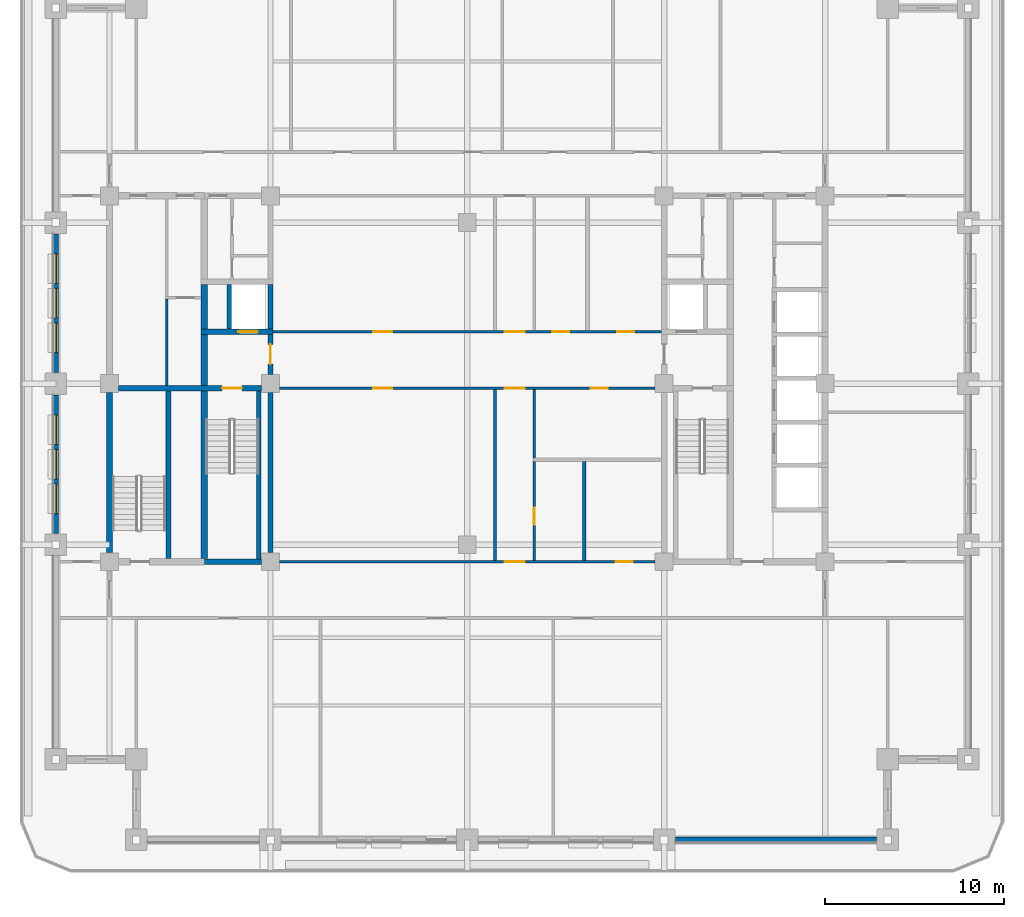
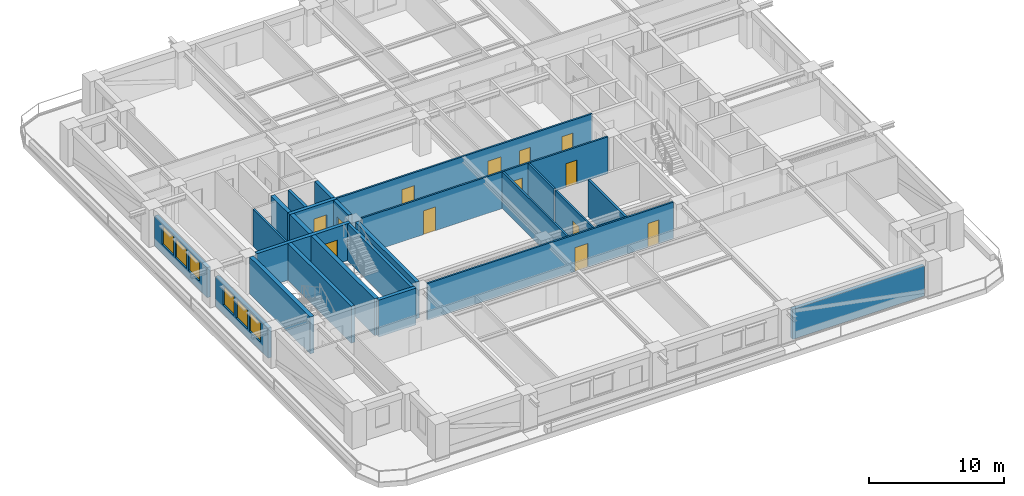
# One storey, part 3 of 14: 24 walls, 13 doors, 6 windows, 19 openings.
"""IFC4 building model written with IfcOpenShell, lengths in metres."""

import ifcopenshell
import ifcopenshell.guid

model = None  # the IFC model being written
_history = None  # IfcOwnerHistory: only IFC2X3 demands one
_inside = {}  # id of a spatial element -> (the spatial element, [elements in it])
_under = {}  # id of a project, library or spatial element -> (it, [spatial elements below it])
_declared = {}  # id of a project -> (the project, [libraries it declares])
_typed = {}  # id of a type object -> (the type object, [elements of that type])
_made_of = {}  # id of a material, layer set ... -> (it, [elements and type objects made of it])


def new_model(schema):
    """Start an empty IFC model of exactly this schema.

    Asked for "IFC4X3", IfcOpenShell would pick the latest addendum, in which some entities
    have other attributes; the version numbers below select the first issue.
    IFC2X3 requires an IfcOwnerHistory on every rooted entity: one is made here for all.
    """
    global model, _history
    if schema == "IFC4X3":
        model = ifcopenshell.file(schema_version=(4, 3, 0, 0))
    else:
        model = ifcopenshell.file(schema=schema)
    _inside.clear()
    _under.clear()
    _declared.clear()
    _typed.clear()
    _made_of.clear()
    _history = None
    if model.schema == "IFC2X3":
        org = make("IfcOrganization", Name="unknown")
        user = make(
            "IfcPersonAndOrganization",
            ThePerson=make("IfcPerson", FamilyName="unknown"),
            TheOrganization=org,
        )
        app = make(
            "IfcApplication",
            ApplicationDeveloper=org,
            Version="unknown",
            ApplicationFullName="unknown",
            ApplicationIdentifier="unknown",
        )
        _history = make(
            "IfcOwnerHistory",
            OwningUser=user,
            OwningApplication=app,
            ChangeAction="ADDED",
            CreationDate=0,
        )
    return model


def make(cls, **values):
    """One entity of the class cls with the attributes given. An attribute that is None is left unset."""
    return model.create_entity(
        cls, **{name: value for name, value in values.items() if value is not None}
    )


def rooted(cls, **values):
    """An entity with a GlobalId (a new one), such as an element, a storey or a relation."""
    return make(cls, GlobalId=ifcopenshell.guid.new(), OwnerHistory=_history, **values)


def si_unit(unit_type, name, prefix=None):
    """IfcSIUnit, for example si_unit("LENGTHUNIT", "METRE", prefix="MILLI")."""
    return make("IfcSIUnit", UnitType=unit_type, Prefix=prefix, Name=name)


def assignment(units):
    """IfcUnitAssignment: the units of a project."""
    return None if units is None else make("IfcUnitAssignment", Units=units)


def point(xyz):
    """IfcCartesianPoint."""
    return None if xyz is None else make("IfcCartesianPoint", Coordinates=xyz)


def direction(xyz):
    """IfcDirection."""
    return None if xyz is None else make("IfcDirection", DirectionRatios=xyz)


def frame(location, z_axis=None, x_axis=None):
    """IfcAxis2Placement3D, a coordinate frame: its origin and axes. An axis left out is left unset."""
    return make(
        "IfcAxis2Placement3D",
        Location=point(location),
        Axis=direction(z_axis),
        RefDirection=direction(x_axis),
    )


def frame_2d(location, x_axis=None):
    """IfcAxis2Placement2D, a coordinate frame in the plane: its origin and x axis."""
    return make(
        "IfcAxis2Placement2D", Location=point(location), RefDirection=direction(x_axis)
    )


def origin():
    """The frame at (0, 0, 0) with its axes left unset."""
    return frame((0.0, 0.0, 0.0))


def place(relative_to, where):
    """IfcLocalPlacement: puts the frame where relative to a parent placement (None: the world)."""
    return make(
        "IfcLocalPlacement", PlacementRelTo=relative_to, RelativePlacement=where
    )


def context(
    kind, dimensions, precision=None, world=None, true_north=None, identifier=None
):
    """IfcGeometricRepresentationContext, for example the 3D "Model" context."""
    return make(
        "IfcGeometricRepresentationContext",
        ContextIdentifier=identifier,
        ContextType=kind,
        CoordinateSpaceDimension=dimensions,
        Precision=precision,
        WorldCoordinateSystem=world,
        TrueNorth=true_north,
    )


def subcontext(parent, identifier, kind, view, scale=None):
    """IfcGeometricRepresentationSubContext, for example "Body" below "Model"."""
    return make(
        "IfcGeometricRepresentationSubContext",
        ContextIdentifier=identifier,
        ContextType=kind,
        ParentContext=parent,
        TargetScale=scale,
        TargetView=view,
    )


def project(units=None, contexts=None):
    """IfcProject with its units and contexts."""
    return rooted(
        "IfcProject",
        Name="project",
        RepresentationContexts=contexts,
        UnitsInContext=assignment(units),
    )


def spatial(cls, under=None, at=None, **own):
    """A site, building, storey or space (cls), placed at a placement, below another one or the project."""
    s = rooted(cls, ObjectPlacement=at, **own)
    if under is not None:
        _under.setdefault(under.id(), (under, []))[1].append(s)
    return s


def profile(cls, at=None, kind="AREA", **sizes):
    """A parametric profile (cls). Its sizes go by their IFC names, for example OverallWidth=200.0."""
    return make(cls, ProfileType=kind, Position=at, **sizes)


def rectangle(**sizes):
    """IfcRectangleProfileDef."""
    return profile("IfcRectangleProfileDef", **sizes)


def extrude(swept, where, along, depth):
    """IfcExtrudedAreaSolid: the profile swept, set in the frame where, extruded along a direction by depth."""
    return make(
        "IfcExtrudedAreaSolid",
        SweptArea=swept,
        Position=where,
        ExtrudedDirection=direction(along),
        Depth=depth,
    )


def shape(context_of_items, identifier, shape_type, items):
    """IfcShapeRepresentation: the items that make up one representation, for example the "Body"."""
    return make(
        "IfcShapeRepresentation",
        ContextOfItems=context_of_items,
        RepresentationIdentifier=identifier,
        RepresentationType=shape_type,
        Items=items,
    )


def material(Name=None, Category=None):
    """IfcMaterial."""
    return make("IfcMaterial", Name=Name, Category=Category)


def layer(
    of_material, thickness, ventilated=None, Name=None, Category=None, Priority=None
):
    """IfcMaterialLayer: one layer of a wall or slab, of a material (None: an air gap)."""
    return make(
        "IfcMaterialLayer",
        Material=of_material,
        LayerThickness=thickness,
        IsVentilated=ventilated,
        Name=Name,
        Category=Category,
        Priority=Priority,
    )


def layer_set(layers, Name=None):
    """IfcMaterialLayerSet."""
    return make("IfcMaterialLayerSet", MaterialLayers=layers, LayerSetName=Name)


def made_of(thing, what):
    """Note that an element or type object is made of a material, layer set ...; save() writes the relation."""
    if what is not None:
        _made_of.setdefault(what.id(), (what, []))[1].append(thing)
    return thing


def type_object(cls, material=None, **own):
    """A type object (cls), such as IfcWallType, which elements share."""
    return made_of(rooted(cls, **own), material)


def element(
    cls,
    number,
    at=None,
    inside=None,
    cuts=None,
    type_object=None,
    material=None,
    context=None,
    identifier="Body",
    shape_type=None,
    held_by="IfcProductDefinitionShape",
    body=None,
    shapes=None,
    **own,
):
    """One element of the class cls, such as IfcWall. Its Tag is "e" and its number.

    at: its placement. inside: the storey or other place that contains it. cuts: it is an
    opening in that element (IfcRelVoidsElement). A single representation is given by context,
    identifier, shape_type and body (its items); several are given by shapes. held_by: the class
    of the entity that holds the representations. save() writes the other relations.
    """
    e = rooted(cls, Tag="e%d" % number, ObjectPlacement=at, **own)
    if body is not None:
        shapes = [shape(context, identifier, shape_type, body)]
    if shapes is not None:
        e.Representation = make(held_by, Representations=shapes)
    if inside is not None:
        _inside.setdefault(inside.id(), (inside, []))[1].append(e)
    if cuts is not None:
        rooted(
            "IfcRelVoidsElement", RelatingBuildingElement=cuts, RelatedOpeningElement=e
        )
    if type_object is not None:
        _typed.setdefault(type_object.id(), (type_object, []))[1].append(e)
    return made_of(e, material)


def fill(opening, filler):
    """IfcRelFillsElement: the door or window that sits in an opening."""
    return rooted(
        "IfcRelFillsElement",
        RelatingOpeningElement=opening,
        RelatedBuildingElement=filler,
    )


def aggregate(whole, parts):
    """IfcRelAggregates: a whole, such as a stair, and the parts it consists of."""
    return rooted("IfcRelAggregates", RelatingObject=whole, RelatedObjects=parts)


def save(model, path):
    """Write the relations noted so far, then the file.

    IfcRelAggregates (storeys below a building ...), IfcRelContainedInSpatialStructure (elements
    in a storey), IfcRelDefinesByType, IfcRelAssociatesMaterial and IfcRelDeclares: one each for
    every whole, place, type object, material and project.
    """
    for whole, parts in _under.values():
        aggregate(whole, parts)
    for where, things in _inside.values():
        rooted(
            "IfcRelContainedInSpatialStructure",
            RelatedElements=things,
            RelatingStructure=where,
        )
    for kind, things in _typed.values():
        rooted("IfcRelDefinesByType", RelatedObjects=things, RelatingType=kind)
    for what, things in _made_of.values():
        rooted("IfcRelAssociatesMaterial", RelatedObjects=things, RelatingMaterial=what)
    for by, libraries in _declared.values():
        rooted("IfcRelDeclares", RelatingContext=by, RelatedDefinitions=libraries)
    model.write(path)


model = new_model("IFC4")

# Units and contexts
model_context = context("Model", 3, precision=1e-05, world=origin(), true_north=direction((0.0, 1.0)))
body_context = subcontext(model_context, "Body", "Model", "MODEL_VIEW")
ifc_project = project(units=[si_unit("LENGTHUNIT", "METRE"), si_unit("AREAUNIT", "SQUARE_METRE"), si_unit("VOLUMEUNIT", "CUBIC_METRE"), si_unit("PLANEANGLEUNIT", "RADIAN"), si_unit("MASSUNIT", "GRAM", prefix="KILO")], contexts=[model_context])

# Site, building, storey
site_placement = place(None, origin())
site = spatial("IfcSite", under=ifc_project, at=site_placement, CompositionType="ELEMENT")
building_placement = place(site_placement, origin())
building = spatial("IfcBuilding", under=site, at=building_placement, Name="Zulmaris Gate Convention Tower", CompositionType="ELEMENT")
storey_placement = place(building_placement, frame((0.0, 0.0, 102.06982421875)))
storey = spatial("IfcBuildingStorey", under=building, at=storey_placement, Name="L25", CompositionType="ELEMENT", Elevation=102.06982421875)

# Walls
ifc_material_1 = material(Name="Concrete C50/60", Category="concrete")
ifc_layer_1 = layer(ifc_material_1, 0.25, Name="Concrete C50/60")
ifc_layer_set_1 = layer_set([ifc_layer_1], Name="Concrete C50/60")
wall_type_1 = type_object("IfcWallType", Name="CORE-250", PredefinedType="SOLIDWALL", material=ifc_layer_set_1)
wall_1_placement = place(storey_placement, frame((-13.300048828125, 3.052001953125, 0.0), z_axis=(0.0, 0.0, 1.0), x_axis=(0.0, 1.0, 0.0)))
element("IfcWall", 1, at=wall_1_placement, inside=storey, type_object=wall_type_1, Name="WL-L25-044", PredefinedType="SOLIDWALL", context=body_context, shape_type="SweptSolid", body=[
    extrude(rectangle(XDim=2.49609375, YDim=0.25, at=frame_2d((1.248046875, 0.0))), origin(), (0.0, 0.0, 1.0), 3.320068359375),
])
wall_2_placement = place(storey_placement, frame((-11.64990234375, -9.798095703125, 0.0), z_axis=(0.0, 0.0, 1.0), x_axis=(0.0, 1.0, 0.0)))
element("IfcWall", 2, at=wall_2_placement, inside=storey, type_object=wall_type_1, Name="WL-L25-045", PredefinedType="SOLIDWALL", context=body_context, shape_type="SweptSolid", body=[
    extrude(rectangle(XDim=9.39599609375, YDim=0.25, at=frame_2d((4.697998046875, 0.0))), origin(), (0.0, 0.0, 1.0), 3.320068359375),
])
ifc_layer_2 = layer(ifc_material_1, 0.300048828125, Name="Concrete C50/60")
ifc_layer_set_2 = layer_set([ifc_layer_2], Name="Concrete C50/60")
wall_type_2 = type_object("IfcWallType", Name="CORE-300", PredefinedType="SHEAR", material=ifc_layer_set_2)
wall_3_placement = place(storey_placement, frame((-14.699951171875, -9.949951171875, 0.0), z_axis=(0.0, 0.0, 1.0), x_axis=(1.0, 0.0, 0.0)))
element("IfcWall", 3, at=wall_3_placement, inside=storey, type_object=wall_type_2, Name="WL-L25-002", PredefinedType="SHEAR", context=body_context, shape_type="SweptSolid", body=[
    extrude(rectangle(XDim=3.196044921875, YDim=0.300048828125, at=frame_2d((1.59814453125, 0.0))), origin(), (0.0, 0.0, 1.0), 3.320068359375),
])

# Wall, opening, door
wall_4_placement = place(storey_placement, frame((-19.49609375, -0.25, 0.0), z_axis=(0.0, 0.0, 1.0), x_axis=(1.0, 0.0, 0.0)))
wall_4 = element("IfcWall", 4, at=wall_4_placement, inside=storey, type_object=wall_type_2, Name="WL-L25-008", PredefinedType="SHEAR", context=body_context, shape_type="SweptSolid", body=[
    extrude(rectangle(XDim=7.9921875, YDim=0.300048828125, at=frame_2d((3.99609375, 0.0))), origin(), (0.0, 0.0, 1.0), 3.320068359375),
])
opening_1_placement = place(wall_4_placement, frame((5.7958984375, 0.0, 0.0)))
opening_1 = element("IfcOpeningElement", 5, at=opening_1_placement, cuts=wall_4, Name="Opening D-08", PredefinedType="OPENING", context=body_context, shape_type="SweptSolid", body=[
    extrude(rectangle(XDim=1.10009765625, YDim=2.14990234375, at=frame_2d((0.550048828125, 1.074951171875))), frame((0.0, 0.16015625, 0.0), z_axis=(0.0, -1.0, 0.0), x_axis=(1.0, 0.0, 0.0)), (0.0, 0.0, 1.0), 0.320068359375),
])
ifc_material_2 = material(Name="Fire-Rated Steel", Category="steel")
door_type_1 = type_object("IfcDoorType", Name="DR-1100-FD", OperationType="NOTDEFINED", PredefinedType="DOOR", material=ifc_material_2)
door_1_placement = place(opening_1_placement, origin())
door_1 = element("IfcDoor", 6, at=door_1_placement, inside=storey, type_object=door_type_1, Name="L25 Exit Stair ST-1 Door 01", OperationType="SINGLE_SWING_RIGHT", OverallHeight=2.14990234375, OverallWidth=1.10009765625, PredefinedType="DOOR", context=body_context, shape_type="SweptSolid", body=[
    extrude(rectangle(XDim=1.10009765625, YDim=2.14990234375, at=frame_2d((0.550048828125, 1.074951171875))), frame((0.0, 0.02490234375, 0.0), z_axis=(0.0, -1.0, 0.0), x_axis=(1.0, 0.0, 0.0)), (0.0, 0.0, 1.0), 0.050048828125),
])
fill(opening_1, door_1)

wall_5_placement = place(storey_placement, frame((-14.875, 2.89990234375, 0.0), z_axis=(0.0, 0.0, 1.0), x_axis=(1.0, 0.0, 0.0)))
wall_5 = element("IfcWall", 7, at=wall_5_placement, inside=storey, type_object=wall_type_2, Name="WL-L25-012", PredefinedType="SHEAR", context=body_context, shape_type="SweptSolid", body=[
    extrude(rectangle(XDim=4.02490234375, YDim=0.300048828125, at=frame_2d((2.012451171875, 0.0))), origin(), (0.0, 0.0, 1.0), 3.320068359375),
])
opening_2_placement = place(wall_5_placement, frame((2.074951171875, 0.0, 0.0)))
opening_2 = element("IfcOpeningElement", 8, at=opening_2_placement, cuts=wall_5, Name="Opening D-06", PredefinedType="OPENING", context=body_context, shape_type="SweptSolid", body=[
    extrude(rectangle(XDim=1.10009765625, YDim=2.199951171875, at=frame_2d((0.550048828125, 1.10009765625))), frame((0.0, 0.16015625, 0.0), z_axis=(0.0, -1.0, 0.0), x_axis=(1.0, 0.0, 0.0)), (0.0, 0.0, 1.0), 0.320068359375),
])
ifc_material_3 = material(Name="Brushed Stainless Steel", Category="steel")
door_type_2 = type_object("IfcDoorType", Name="LD-1100", OperationType="NOTDEFINED", PredefinedType="DOOR", material=ifc_material_3)
door_2_placement = place(opening_2_placement, origin())
door_2 = element("IfcDoor", 9, at=door_2_placement, inside=storey, type_object=door_type_2, Name="L25 Lift Landing Door LF-01 03", OperationType="SLIDING_TO_LEFT", OverallHeight=2.199951171875, OverallWidth=1.10009765625, PredefinedType="DOOR", context=body_context, shape_type="SweptSolid", body=[
    extrude(rectangle(XDim=1.10009765625, YDim=2.199951171875, at=frame_2d((0.550048828125, 1.10009765625))), frame((0.0, 0.02490234375, 0.0), z_axis=(0.0, -1.0, 0.0), x_axis=(1.0, 0.0, 0.0)), (0.0, 0.0, 1.0), 0.050048828125),
])
fill(opening_2, door_2)

# Walls
wall_6_placement = place(storey_placement, frame((-16.699951171875, -9.77294921875, 0.0), z_axis=(0.0, 0.0, 1.0), x_axis=(0.0, 1.0, 0.0)))
element("IfcWall", 10, at=wall_6_placement, inside=storey, type_object=wall_type_2, Name="WL-L25-039", PredefinedType="SHEAR", context=body_context, shape_type="SweptSolid", body=[
    extrude(rectangle(XDim=9.370849609375, YDim=0.300048828125, at=frame_2d((4.685546875, 0.0))), origin(), (0.0, 0.0, 1.0), 3.320068359375),
])
wall_7_placement = place(storey_placement, frame((-11.0, -9.446044921875, 0.0), z_axis=(0.0, 0.0, 1.0), x_axis=(0.0, 1.0, 0.0)))
element("IfcWall", 11, at=wall_7_placement, inside=storey, type_object=wall_type_2, Name="WL-L25-046", PredefinedType="SHEAR", context=body_context, shape_type="SweptSolid", body=[
    extrude(rectangle(XDim=8.942138671875, YDim=0.300048828125, at=frame_2d((4.47119140625, 0.0))), origin(), (0.0, 0.0, 1.0), 3.320068359375),
])

# Wall, opening, door
wall_8_placement = place(storey_placement, frame((-11.0, 0.50390625, 0.0), z_axis=(0.0, 0.0, 1.0), x_axis=(0.0, 1.0, 0.0)))
wall_8 = element("IfcWall", 12, at=wall_8_placement, inside=storey, type_object=wall_type_2, Name="WL-L25-047", PredefinedType="SHEAR", context=body_context, shape_type="SweptSolid", body=[
    extrude(rectangle(XDim=2.244140625, YDim=0.300048828125, at=frame_2d((1.1220703125, 0.0))), origin(), (0.0, 0.0, 1.0), 3.320068359375),
])
opening_3_placement = place(wall_8_placement, frame((0.595947265625, 0.0, 0.0)))
opening_3 = element("IfcOpeningElement", 13, at=opening_3_placement, cuts=wall_8, Name="Opening D-08", PredefinedType="OPENING", context=body_context, shape_type="SweptSolid", body=[
    extrude(rectangle(XDim=1.10009765625, YDim=2.14990234375, at=frame_2d((0.550048828125, 1.074951171875))), frame((0.0, 0.16015625, 0.0), z_axis=(0.0, -1.0, 0.0), x_axis=(1.0, 0.0, 0.0)), (0.0, 0.0, 1.0), 0.320068359375),
])
door_3_placement = place(opening_3_placement, origin())
door_3 = element("IfcDoor", 14, at=door_3_placement, inside=storey, type_object=door_type_1, Name="L25 West Firefighting Lobby Door 02", OperationType="SINGLE_SWING_LEFT", OverallHeight=2.14990234375, OverallWidth=1.10009765625, PredefinedType="DOOR", context=body_context, shape_type="SweptSolid", body=[
    extrude(rectangle(XDim=1.10009765625, YDim=2.14990234375, at=frame_2d((0.550048828125, 1.074951171875))), frame((0.0, 0.02490234375, 0.0), z_axis=(0.0, -1.0, 0.0), x_axis=(1.0, 0.0, 0.0)), (0.0, 0.0, 1.0), 0.050048828125),
])
fill(opening_3, door_3)

# Walls
wall_9_placement = place(storey_placement, frame((-11.0, 3.052001953125, 0.0), z_axis=(0.0, 0.0, 1.0), x_axis=(0.0, 1.0, 0.0)))
element("IfcWall", 15, at=wall_9_placement, inside=storey, type_object=wall_type_2, Name="WL-L25-048", PredefinedType="SHEAR", context=body_context, shape_type="SweptSolid", body=[
    extrude(rectangle(XDim=2.49609375, YDim=0.300048828125, at=frame_2d((1.248046875, 0.0))), origin(), (0.0, 0.0, 1.0), 3.320068359375),
])
ifc_material_4 = material(Name="Concrete C55/67", Category="concrete")
ifc_layer_3 = layer(ifc_material_4, 0.35009765625, Name="Concrete C55/67")
ifc_layer_set_3 = layer_set([ifc_layer_3], Name="Concrete C55/67")
wall_type_3 = type_object("IfcWallType", Name="CORE-350", PredefinedType="SHEAR", material=ifc_layer_set_3)
wall_10_placement = place(storey_placement, frame((-20.0, -9.446044921875, 0.0), z_axis=(0.0, 0.0, 1.0), x_axis=(0.0, 1.0, 0.0)))
element("IfcWall", 16, at=wall_10_placement, inside=storey, type_object=wall_type_3, Name="WL-L25-037", PredefinedType="SHEAR", context=body_context, shape_type="SweptSolid", body=[
    extrude(rectangle(XDim=8.942138671875, YDim=0.35009765625, at=frame_2d((4.47119140625, 0.0))), origin(), (0.0, 0.0, 1.0), 3.320068359375),
])
wall_11_placement = place(storey_placement, frame((-14.699951171875, -9.77294921875, 0.0), z_axis=(0.0, 0.0, 1.0), x_axis=(0.0, 1.0, 0.0)))
element("IfcWall", 17, at=wall_11_placement, inside=storey, type_object=wall_type_3, Name="WL-L25-040", PredefinedType="SHEAR", context=body_context, shape_type="SweptSolid", body=[
    extrude(rectangle(XDim=9.370849609375, YDim=0.35009765625, at=frame_2d((4.685546875, 0.0))), origin(), (0.0, 0.0, 1.0), 3.320068359375),
])
wall_12_placement = place(storey_placement, frame((-14.699951171875, -0.097900390625, 0.0), z_axis=(0.0, 0.0, 1.0), x_axis=(0.0, 1.0, 0.0)))
element("IfcWall", 18, at=wall_12_placement, inside=storey, type_object=wall_type_3, Name="WL-L25-041", PredefinedType="SHEAR", context=body_context, shape_type="SweptSolid", body=[
    extrude(rectangle(XDim=2.845947265625, YDim=0.35009765625, at=frame_2d((1.4228515625, 0.0))), origin(), (0.0, 0.0, 1.0), 3.320068359375),
])
wall_13_placement = place(storey_placement, frame((-14.699951171875, 3.052001953125, 0.0), z_axis=(0.0, 0.0, 1.0), x_axis=(0.0, 1.0, 0.0)))
element("IfcWall", 19, at=wall_13_placement, inside=storey, type_object=wall_type_3, Name="WL-L25-042", PredefinedType="SHEAR", context=body_context, shape_type="SweptSolid", body=[
    extrude(rectangle(XDim=2.49609375, YDim=0.35009765625, at=frame_2d((1.248046875, 0.0))), origin(), (0.0, 0.0, 1.0), 3.320068359375),
])

# Wall, openings, doors
ifc_material_5 = material(Name="Gypsum Metal Stud Partition")
ifc_layer_4 = layer(ifc_material_5, 0.14990234375, Name="Gypsum Metal Stud Partition")
ifc_layer_set_4 = layer_set([ifc_layer_4], Name="Gypsum Metal Stud Partition")
wall_type_4 = type_object("IfcWallType", Name="PART-150", PredefinedType="PARTITIONING", material=ifc_layer_set_4)
wall_14_placement = place(storey_placement, frame((-10.493896484375, -9.949951171875, 0.0), z_axis=(0.0, 0.0, 1.0), x_axis=(1.0, 0.0, 0.0)))
wall_14 = element("IfcWall", 20, at=wall_14_placement, inside=storey, type_object=wall_type_4, Name="WL-L25-023", PredefinedType="PARTITIONING", context=body_context, shape_type="SweptSolid", body=[
    extrude(rectangle(XDim=20.98779296875, YDim=0.14990234375, at=frame_2d((10.493896484375, 0.0))), origin(), (0.0, 0.0, 1.0), 3.320068359375),
])
opening_4_placement = place(wall_14_placement, frame((12.593994140625, 0.0, 0.0)))
opening_4 = element("IfcOpeningElement", 21, at=opening_4_placement, cuts=wall_14, Name="Opening D-08", PredefinedType="OPENING", context=body_context, shape_type="SweptSolid", body=[
    extrude(rectangle(XDim=1.10009765625, YDim=2.14990234375, at=frame_2d((0.550048828125, 1.074951171875))), frame((0.0, 0.0849609375, 0.0), z_axis=(0.0, -1.0, 0.0), x_axis=(1.0, 0.0, 0.0)), (0.0, 0.0, 1.0), 0.169921875),
])
opening_5_placement = place(wall_14_placement, frame((18.799072265625, 0.0, 0.0)))
opening_5 = element("IfcOpeningElement", 22, at=opening_5_placement, cuts=wall_14, Name="Opening D-11", PredefinedType="OPENING", context=body_context, shape_type="SweptSolid", body=[
    extrude(rectangle(XDim=0.949951171875, YDim=2.14990234375, at=frame_2d((0.47509765625, 1.074951171875))), frame((0.0, 0.0849609375, 0.0), z_axis=(0.0, -1.0, 0.0), x_axis=(1.0, 0.0, 0.0)), (0.0, 0.0, 1.0), 0.169921875),
])
door_4_placement = place(opening_4_placement, origin())
door_4 = element("IfcDoor", 23, at=door_4_placement, inside=storey, type_object=door_type_1, Name="L25 South Gallery Link Door 26", OperationType="SINGLE_SWING_LEFT", OverallHeight=2.14990234375, OverallWidth=1.10009765625, PredefinedType="DOOR", context=body_context, shape_type="SweptSolid", body=[
    extrude(rectangle(XDim=1.10009765625, YDim=2.14990234375, at=frame_2d((0.550048828125, 1.074951171875))), frame((0.0, 0.02490234375, 0.0), z_axis=(0.0, -1.0, 0.0), x_axis=(1.0, 0.0, 0.0)), (0.0, 0.0, 1.0), 0.050048828125),
])
fill(opening_4, door_4)
ifc_material_6 = material(Name="Fire-Rated Timber", Category="wood")
door_type_3 = type_object("IfcDoorType", Name="DR-950-FD", OperationType="NOTDEFINED", PredefinedType="DOOR", material=ifc_material_6)
door_5_placement = place(opening_5_placement, origin())
door_5 = element("IfcDoor", 24, at=door_5_placement, inside=storey, type_object=door_type_3, Name="L25 Vault Store Door 44", OperationType="SINGLE_SWING_LEFT", OverallHeight=2.14990234375, OverallWidth=0.949951171875, PredefinedType="DOOR", context=body_context, shape_type="SweptSolid", body=[
    extrude(rectangle(XDim=0.949951171875, YDim=2.14990234375, at=frame_2d((0.47509765625, 1.074951171875))), frame((0.0, 0.02490234375, 0.0), z_axis=(0.0, -1.0, 0.0), x_axis=(1.0, 0.0, 0.0)), (0.0, 0.0, 1.0), 0.050048828125),
])
fill(opening_5, door_5)

wall_15_placement = place(storey_placement, frame((-10.493896484375, -0.25, 0.0), z_axis=(0.0, 0.0, 1.0), x_axis=(1.0, 0.0, 0.0)))
wall_15 = element("IfcWall", 25, at=wall_15_placement, inside=storey, type_object=wall_type_4, Name="WL-L25-027", PredefinedType="PARTITIONING", context=body_context, shape_type="SweptSolid", body=[
    extrude(rectangle(XDim=20.98779296875, YDim=0.14990234375, at=frame_2d((10.493896484375, 0.0))), origin(), (0.0, 0.0, 1.0), 3.320068359375),
])
opening_6_placement = place(wall_15_placement, frame((12.593994140625, 0.0, 0.0)))
opening_6 = element("IfcOpeningElement", 26, at=opening_6_placement, cuts=wall_15, Name="Opening D-08", PredefinedType="OPENING", context=body_context, shape_type="SweptSolid", body=[
    extrude(rectangle(XDim=1.10009765625, YDim=2.14990234375, at=frame_2d((0.550048828125, 1.074951171875))), frame((0.0, 0.0849609375, 0.0), z_axis=(0.0, -1.0, 0.0), x_axis=(1.0, 0.0, 0.0)), (0.0, 0.0, 1.0), 0.169921875),
])
opening_7_placement = place(wall_15_placement, frame((5.2490234375, 0.0, 0.0)))
opening_7 = element("IfcOpeningElement", 27, at=opening_7_placement, cuts=wall_15, Name="Opening D-09", PredefinedType="OPENING", context=body_context, shape_type="SweptSolid", body=[
    extrude(rectangle(XDim=1.050048828125, YDim=2.14990234375, at=frame_2d((0.52490234375, 1.074951171875))), frame((0.0, 0.0849609375, 0.0), z_axis=(0.0, -1.0, 0.0), x_axis=(1.0, 0.0, 0.0)), (0.0, 0.0, 1.0), 0.169921875),
])
opening_8_placement = place(wall_15_placement, frame((17.39892578125, 0.0, 0.0)))
opening_8 = element("IfcOpeningElement", 28, at=opening_8_placement, cuts=wall_15, Name="Opening D-11", PredefinedType="OPENING", context=body_context, shape_type="SweptSolid", body=[
    extrude(rectangle(XDim=0.949951171875, YDim=2.14990234375, at=frame_2d((0.47509765625, 1.074951171875))), frame((0.0, 0.0849609375, 0.0), z_axis=(0.0, -1.0, 0.0), x_axis=(1.0, 0.0, 0.0)), (0.0, 0.0, 1.0), 0.169921875),
])
door_type_4 = type_object("IfcDoorType", Name="DR-1050-FD", OperationType="NOTDEFINED", PredefinedType="DOOR", material=ifc_material_2)
door_6_placement = place(opening_7_placement, origin())
door_6 = element("IfcDoor", 29, at=door_6_placement, inside=storey, type_object=door_type_4, Name="L25 Sky Library Door 41", OperationType="SINGLE_SWING_RIGHT", OverallHeight=2.14990234375, OverallWidth=1.050048828125, PredefinedType="DOOR", context=body_context, shape_type="SweptSolid", body=[
    extrude(rectangle(XDim=1.050048828125, YDim=2.14990234375, at=frame_2d((0.52490234375, 1.074951171875))), frame((0.0, 0.02490234375, 0.0), z_axis=(0.0, -1.0, 0.0), x_axis=(1.0, 0.0, 0.0)), (0.0, 0.0, 1.0), 0.050048828125),
])
fill(opening_7, door_6)
door_7_placement = place(opening_6_placement, origin())
door_7 = element("IfcDoor", 30, at=door_7_placement, inside=storey, type_object=door_type_1, Name="L25 Cross Spine South Door 28", OperationType="SINGLE_SWING_LEFT", OverallHeight=2.14990234375, OverallWidth=1.10009765625, PredefinedType="DOOR", context=body_context, shape_type="SweptSolid", body=[
    extrude(rectangle(XDim=1.10009765625, YDim=2.14990234375, at=frame_2d((0.550048828125, 1.074951171875))), frame((0.0, 0.02490234375, 0.0), z_axis=(0.0, -1.0, 0.0), x_axis=(1.0, 0.0, 0.0)), (0.0, 0.0, 1.0), 0.050048828125),
])
fill(opening_6, door_7)
door_8_placement = place(opening_8_placement, origin())
door_8 = element("IfcDoor", 31, at=door_8_placement, inside=storey, type_object=door_type_3, Name="L25 Public WC Door 42", OperationType="SINGLE_SWING_LEFT", OverallHeight=2.14990234375, OverallWidth=0.949951171875, PredefinedType="DOOR", context=body_context, shape_type="SweptSolid", body=[
    extrude(rectangle(XDim=0.949951171875, YDim=2.14990234375, at=frame_2d((0.47509765625, 1.074951171875))), frame((0.0, 0.02490234375, 0.0), z_axis=(0.0, -1.0, 0.0), x_axis=(1.0, 0.0, 0.0)), (0.0, 0.0, 1.0), 0.050048828125),
])
fill(opening_8, door_8)

wall_16_placement = place(storey_placement, frame((-11.0, 2.89990234375, 0.0), z_axis=(0.0, 0.0, 1.0), x_axis=(1.0, 0.0, 0.0)))
wall_16 = element("IfcWall", 32, at=wall_16_placement, inside=storey, type_object=wall_type_4, Name="WL-L25-028", PredefinedType="PARTITIONING", context=body_context, shape_type="SweptSolid", body=[
    extrude(rectangle(XDim=22.0, YDim=0.14990234375, at=frame_2d((11.0, 0.0))), origin(), (0.0, 0.0, 1.0), 3.320068359375),
])
opening_9_placement = place(wall_16_placement, frame((13.10009765625, 0.0, 0.0)))
opening_9 = element("IfcOpeningElement", 33, at=opening_9_placement, cuts=wall_16, Name="Opening D-08", PredefinedType="OPENING", context=body_context, shape_type="SweptSolid", body=[
    extrude(rectangle(XDim=1.10009765625, YDim=2.14990234375, at=frame_2d((0.550048828125, 1.074951171875))), frame((0.0, 0.0849609375, 0.0), z_axis=(0.0, -1.0, 0.0), x_axis=(1.0, 0.0, 0.0)), (0.0, 0.0, 1.0), 0.169921875),
])
opening_10_placement = place(wall_16_placement, frame((5.7548828125, 0.0, 0.0)))
opening_10 = element("IfcOpeningElement", 34, at=opening_10_placement, cuts=wall_16, Name="Opening D-09", PredefinedType="OPENING", context=body_context, shape_type="SweptSolid", body=[
    extrude(rectangle(XDim=1.050048828125, YDim=2.14990234375, at=frame_2d((0.52490234375, 1.074951171875))), frame((0.0, 0.0849609375, 0.0), z_axis=(0.0, -1.0, 0.0), x_axis=(1.0, 0.0, 0.0)), (0.0, 0.0, 1.0), 0.169921875),
])
opening_11_placement = place(wall_16_placement, frame((15.7548828125, 0.0, 0.0)))
opening_11 = element("IfcOpeningElement", 35, at=opening_11_placement, cuts=wall_16, Name="Opening D-11", PredefinedType="OPENING", context=body_context, shape_type="SweptSolid", body=[
    extrude(rectangle(XDim=0.949951171875, YDim=2.14990234375, at=frame_2d((0.47509765625, 1.074951171875))), frame((0.0, 0.0849609375, 0.0), z_axis=(0.0, -1.0, 0.0), x_axis=(1.0, 0.0, 0.0)), (0.0, 0.0, 1.0), 0.169921875),
])
opening_12_placement = place(wall_16_placement, frame((19.385009765625, 0.0, 0.0)))
opening_12 = element("IfcOpeningElement", 36, at=opening_12_placement, cuts=wall_16, Name="Opening D-11", PredefinedType="OPENING", context=body_context, shape_type="SweptSolid", body=[
    extrude(rectangle(XDim=0.949951171875, YDim=2.14990234375, at=frame_2d((0.47509765625, 1.074951171875))), frame((0.0, 0.0849609375, 0.0), z_axis=(0.0, -1.0, 0.0), x_axis=(1.0, 0.0, 0.0)), (0.0, 0.0, 1.0), 0.169921875),
])
door_9_placement = place(opening_10_placement, origin())
door_9 = element("IfcDoor", 37, at=door_9_placement, inside=storey, type_object=door_type_4, Name="L25 Reception Door 38", OperationType="SINGLE_SWING_LEFT", OverallHeight=2.14990234375, OverallWidth=1.050048828125, PredefinedType="DOOR", context=body_context, shape_type="SweptSolid", body=[
    extrude(rectangle(XDim=1.050048828125, YDim=2.14990234375, at=frame_2d((0.52490234375, 1.074951171875))), frame((0.0, 0.02490234375, 0.0), z_axis=(0.0, -1.0, 0.0), x_axis=(1.0, 0.0, 0.0)), (0.0, 0.0, 1.0), 0.050048828125),
])
fill(opening_10, door_9)
door_10_placement = place(opening_9_placement, origin())
door_10 = element("IfcDoor", 38, at=door_10_placement, inside=storey, type_object=door_type_1, Name="L25 Cross Spine North Door 27", OperationType="SINGLE_SWING_RIGHT", OverallHeight=2.14990234375, OverallWidth=1.10009765625, PredefinedType="DOOR", context=body_context, shape_type="SweptSolid", body=[
    extrude(rectangle(XDim=1.10009765625, YDim=2.14990234375, at=frame_2d((0.550048828125, 1.074951171875))), frame((0.0, 0.02490234375, 0.0), z_axis=(0.0, -1.0, 0.0), x_axis=(1.0, 0.0, 0.0)), (0.0, 0.0, 1.0), 0.050048828125),
])
fill(opening_9, door_10)
door_11_placement = place(opening_11_placement, origin())
door_11 = element("IfcDoor", 39, at=door_11_placement, inside=storey, type_object=door_type_3, Name="L25 Briefing Door 39", OperationType="SINGLE_SWING_RIGHT", OverallHeight=2.14990234375, OverallWidth=0.949951171875, PredefinedType="DOOR", context=body_context, shape_type="SweptSolid", body=[
    extrude(rectangle(XDim=0.949951171875, YDim=2.14990234375, at=frame_2d((0.47509765625, 1.074951171875))), frame((0.0, 0.02490234375, 0.0), z_axis=(0.0, -1.0, 0.0), x_axis=(1.0, 0.0, 0.0)), (0.0, 0.0, 1.0), 0.050048828125),
])
fill(opening_11, door_11)
door_12_placement = place(opening_12_placement, origin())
door_12 = element("IfcDoor", 40, at=door_12_placement, inside=storey, type_object=door_type_3, Name="L25 Dining Pantry Door 40", OperationType="SINGLE_SWING_LEFT", OverallHeight=2.14990234375, OverallWidth=0.949951171875, PredefinedType="DOOR", context=body_context, shape_type="SweptSolid", body=[
    extrude(rectangle(XDim=0.949951171875, YDim=2.14990234375, at=frame_2d((0.47509765625, 1.074951171875))), frame((0.0, 0.02490234375, 0.0), z_axis=(0.0, -1.0, 0.0), x_axis=(1.0, 0.0, 0.0)), (0.0, 0.0, 1.0), 0.050048828125),
])
fill(opening_12, door_12)

# Walls
wall_17_placement = place(storey_placement, frame((-16.800048828125, -0.096923828125, 0.0), z_axis=(0.0, 0.0, 1.0), x_axis=(0.0, 1.0, 0.0)))
element("IfcWall", 41, at=wall_17_placement, inside=storey, type_object=wall_type_4, Name="WL-L25-076", PredefinedType="PARTITIONING", context=body_context, shape_type="SweptSolid", body=[
    extrude(rectangle(XDim=4.81884765625, YDim=0.14990234375, at=frame_2d((2.409423828125, 0.0))), origin(), (0.0, 0.0, 1.0), 3.320068359375),
])
wall_18_placement = place(storey_placement, frame((1.550048828125, -9.8720703125, 0.0), z_axis=(0.0, 0.0, 1.0), x_axis=(0.0, 1.0, 0.0)))
element("IfcWall", 42, at=wall_18_placement, inside=storey, type_object=wall_type_4, Name="WL-L25-083", PredefinedType="PARTITIONING", context=body_context, shape_type="SweptSolid", body=[
    extrude(rectangle(XDim=9.544189453125, YDim=0.14990234375, at=frame_2d((4.77197265625, 0.0))), origin(), (0.0, 0.0, 1.0), 3.320068359375),
])

# Wall, opening, door
wall_19_placement = place(storey_placement, frame((3.75, -9.8720703125, 0.0), z_axis=(0.0, 0.0, 1.0), x_axis=(0.0, 1.0, 0.0)))
wall_19 = element("IfcWall", 43, at=wall_19_placement, inside=storey, type_object=wall_type_4, Name="WL-L25-086", PredefinedType="PARTITIONING", context=body_context, shape_type="SweptSolid", body=[
    extrude(rectangle(XDim=5.51904296875, YDim=0.14990234375, at=frame_2d((2.759521484375, 0.0))), origin(), (0.0, 0.0, 1.0), 3.320068359375),
])
opening_13_placement = place(wall_19_placement, frame((1.9970703125, 0.0, 0.0)))
opening_13 = element("IfcOpeningElement", 44, at=opening_13_placement, cuts=wall_19, Name="Opening D-11", PredefinedType="OPENING", context=body_context, shape_type="SweptSolid", body=[
    extrude(rectangle(XDim=0.949951171875, YDim=2.14990234375, at=frame_2d((0.47509765625, 1.074951171875))), frame((0.0, 0.0849609375, 0.0), z_axis=(0.0, -1.0, 0.0), x_axis=(1.0, 0.0, 0.0)), (0.0, 0.0, 1.0), 0.169921875),
])
door_13_placement = place(opening_13_placement, origin())
door_13 = element("IfcDoor", 45, at=door_13_placement, inside=storey, type_object=door_type_3, Name="L25 Accessible WC Door 43", OperationType="SINGLE_SWING_RIGHT", OverallHeight=2.14990234375, OverallWidth=0.949951171875, PredefinedType="DOOR", context=body_context, shape_type="SweptSolid", body=[
    extrude(rectangle(XDim=0.949951171875, YDim=2.14990234375, at=frame_2d((0.47509765625, 1.074951171875))), frame((0.0, 0.02490234375, 0.0), z_axis=(0.0, -1.0, 0.0), x_axis=(1.0, 0.0, 0.0)), (0.0, 0.0, 1.0), 0.050048828125),
])
fill(opening_13, door_13)

# Walls
wall_20_placement = place(storey_placement, frame((3.75, -4.14697265625, 0.0), z_axis=(0.0, 0.0, 1.0), x_axis=(0.0, 1.0, 0.0)))
element("IfcWall", 46, at=wall_20_placement, inside=storey, type_object=wall_type_4, Name="WL-L25-087", PredefinedType="PARTITIONING", context=body_context, shape_type="SweptSolid", body=[
    extrude(rectangle(XDim=3.819091796875, YDim=0.14990234375, at=frame_2d((1.90966796875, 0.0))), origin(), (0.0, 0.0, 1.0), 3.320068359375),
])
ifc_material_7 = material(Name="Autoclaved Aerated Concrete Block and Plasterboard", Category="concrete")
ifc_layer_5 = layer(ifc_material_7, 0.199951171875, Name="Autoclaved Aerated Concrete Block and Plasterboard")
ifc_layer_set_5 = layer_set([ifc_layer_5], Name="Autoclaved Aerated Concrete Block and Plasterboard")
wall_type_5 = type_object("IfcWallType", Name="PART-200", PredefinedType="PARTITIONING", material=ifc_layer_set_5)
wall_21_placement = place(storey_placement, frame((6.550048828125, -9.8720703125, 0.0), z_axis=(0.0, 0.0, 1.0), x_axis=(0.0, 1.0, 0.0)))
element("IfcWall", 47, at=wall_21_placement, inside=storey, type_object=wall_type_5, Name="WL-L25-090", PredefinedType="PARTITIONING", context=body_context, shape_type="SweptSolid", body=[
    extrude(rectangle(XDim=5.51904296875, YDim=0.199951171875, at=frame_2d((2.759521484375, 0.0))), origin(), (0.0, 0.0, 1.0), 3.320068359375),
])
ifc_material_8 = material(Name="Precast concrete C40/50", Category="concrete")
ifc_layer_6 = layer(ifc_material_8, 0.300048828125, Name="Precast concrete C40/50")
ifc_layer_set_6 = layer_set([ifc_layer_6], Name="Precast concrete C40/50")
wall_type_6 = type_object("IfcWallType", Name="PRECAST-PIER-300", PredefinedType="STANDARD", material=ifc_layer_set_6)
wall_22_placement = place(storey_placement, frame((11.6298828125, -25.5, 0.0), z_axis=(0.0, 0.0, 1.0), x_axis=(1.0, 0.0, 0.0)))
element("IfcWall", 48, at=wall_22_placement, inside=storey, type_object=wall_type_6, Name="EW-L25-S-3_0", PredefinedType="STANDARD", context=body_context, shape_type="SweptSolid", body=[
    extrude(rectangle(XDim=11.240234375, YDim=0.300048828125, at=frame_2d((5.6201171875, 0.0))), origin(), (0.0, 0.0, 1.0), 2.712158203125),
])

# Wall, openings, windows
wall_23_placement = place(storey_placement, frame((-23.0, -0.6298828125, 0.0), z_axis=(0.0, 0.0, 1.0), x_axis=(0.0, -1.0, 0.0)))
wall_23 = element("IfcWall", 49, at=wall_23_placement, inside=storey, type_object=wall_type_6, Name="EW-L25-W-1_0", PredefinedType="STANDARD", context=body_context, shape_type="SweptSolid", body=[
    extrude(rectangle(XDim=7.740234375, YDim=0.300048828125, at=frame_2d((3.8701171875, 0.0))), origin(), (0.0, 0.0, 1.0), 2.712158203125),
])
opening_14_placement = place(wall_23_placement, frame((1.110107421875, 0.0, 0.800048828125)))
opening_14 = element("IfcOpeningElement", 50, at=opening_14_placement, cuts=wall_23, Name="Opening W-08", PredefinedType="OPENING", context=body_context, shape_type="SweptSolid", body=[
    extrude(rectangle(XDim=1.64990234375, YDim=1.699951171875, at=frame_2d((0.824951171875, 0.85009765625))), frame((0.0, 0.16015625, 0.0), z_axis=(0.0, -1.0, 0.0), x_axis=(1.0, 0.0, 0.0)), (0.0, 0.0, 1.0), 0.320068359375),
])
opening_15_placement = place(wall_23_placement, frame((3.044921875, 0.0, 0.800048828125)))
opening_15 = element("IfcOpeningElement", 51, at=opening_15_placement, cuts=wall_23, Name="Opening W-08", PredefinedType="OPENING", context=body_context, shape_type="SweptSolid", body=[
    extrude(rectangle(XDim=1.64990234375, YDim=1.699951171875, at=frame_2d((0.824951171875, 0.85009765625))), frame((0.0, 0.16015625, 0.0), z_axis=(0.0, -1.0, 0.0), x_axis=(1.0, 0.0, 0.0)), (0.0, 0.0, 1.0), 0.320068359375),
])
opening_16_placement = place(wall_23_placement, frame((4.97998046875, 0.0, 0.800048828125)))
opening_16 = element("IfcOpeningElement", 52, at=opening_16_placement, cuts=wall_23, Name="Opening W-08", PredefinedType="OPENING", context=body_context, shape_type="SweptSolid", body=[
    extrude(rectangle(XDim=1.64990234375, YDim=1.699951171875, at=frame_2d((0.824951171875, 0.85009765625))), frame((0.0, 0.16015625, 0.0), z_axis=(0.0, -1.0, 0.0), x_axis=(1.0, 0.0, 0.0)), (0.0, 0.0, 1.0), 0.320068359375),
])
ifc_material_9 = material(Name="Low-E Laminated Double Glazing in Aluminium Frame", Category="aluminium")
window_type = type_object("IfcWindowType", Name="WIN-1650x2150", PartitioningType="SINGLE_PANEL", PredefinedType="WINDOW", material=ifc_material_9)
window_1_placement = place(opening_14_placement, origin())
window_1 = element("IfcWindow", 53, at=window_1_placement, inside=storey, type_object=window_type, Name="WN-EW-L25-W-1_0-1", OverallHeight=1.699951171875, OverallWidth=1.64990234375, PartitioningType="SINGLE_PANEL", PredefinedType="WINDOW", context=body_context, shape_type="SweptSolid", body=[
    extrude(rectangle(XDim=1.64990234375, YDim=1.699951171875, at=frame_2d((0.824951171875, 0.85009765625))), frame((0.0, 0.030029296875, 0.0), z_axis=(0.0, -1.0, 0.0), x_axis=(1.0, 0.0, 0.0)), (0.0, 0.0, 1.0), 0.06005859375),
])
fill(opening_14, window_1)
window_2_placement = place(opening_15_placement, origin())
window_2 = element("IfcWindow", 54, at=window_2_placement, inside=storey, type_object=window_type, Name="WN-EW-L25-W-1_0-2", OverallHeight=1.699951171875, OverallWidth=1.64990234375, PartitioningType="SINGLE_PANEL", PredefinedType="WINDOW", context=body_context, shape_type="SweptSolid", body=[
    extrude(rectangle(XDim=1.64990234375, YDim=1.699951171875, at=frame_2d((0.824951171875, 0.85009765625))), frame((0.0, 0.030029296875, 0.0), z_axis=(0.0, -1.0, 0.0), x_axis=(1.0, 0.0, 0.0)), (0.0, 0.0, 1.0), 0.06005859375),
])
fill(opening_15, window_2)
window_3_placement = place(opening_16_placement, origin())
window_3 = element("IfcWindow", 55, at=window_3_placement, inside=storey, type_object=window_type, Name="WN-EW-L25-W-1_0-3", OverallHeight=1.699951171875, OverallWidth=1.64990234375, PartitioningType="SINGLE_PANEL", PredefinedType="WINDOW", context=body_context, shape_type="SweptSolid", body=[
    extrude(rectangle(XDim=1.64990234375, YDim=1.699951171875, at=frame_2d((0.824951171875, 0.85009765625))), frame((0.0, 0.030029296875, 0.0), z_axis=(0.0, -1.0, 0.0), x_axis=(1.0, 0.0, 0.0)), (0.0, 0.0, 1.0), 0.06005859375),
])
fill(opening_16, window_3)

wall_24_placement = place(storey_placement, frame((-23.0, 8.3701171875, 0.0), z_axis=(0.0, 0.0, 1.0), x_axis=(0.0, -1.0, 0.0)))
wall_24 = element("IfcWall", 56, at=wall_24_placement, inside=storey, type_object=wall_type_6, Name="EW-L25-W-2_0", PredefinedType="STANDARD", context=body_context, shape_type="SweptSolid", body=[
    extrude(rectangle(XDim=7.740234375, YDim=0.300048828125, at=frame_2d((3.8701171875, 0.0))), origin(), (0.0, 0.0, 1.0), 2.712158203125),
])
opening_17_placement = place(wall_24_placement, frame((1.110107421875, 0.0, 0.800048828125)))
opening_17 = element("IfcOpeningElement", 57, at=opening_17_placement, cuts=wall_24, Name="Opening W-08", PredefinedType="OPENING", context=body_context, shape_type="SweptSolid", body=[
    extrude(rectangle(XDim=1.64990234375, YDim=1.699951171875, at=frame_2d((0.824951171875, 0.85009765625))), frame((0.0, 0.16015625, 0.0), z_axis=(0.0, -1.0, 0.0), x_axis=(1.0, 0.0, 0.0)), (0.0, 0.0, 1.0), 0.320068359375),
])
opening_18_placement = place(wall_24_placement, frame((3.044921875, 0.0, 0.800048828125)))
opening_18 = element("IfcOpeningElement", 58, at=opening_18_placement, cuts=wall_24, Name="Opening W-08", PredefinedType="OPENING", context=body_context, shape_type="SweptSolid", body=[
    extrude(rectangle(XDim=1.64990234375, YDim=1.699951171875, at=frame_2d((0.824951171875, 0.85009765625))), frame((0.0, 0.16015625, 0.0), z_axis=(0.0, -1.0, 0.0), x_axis=(1.0, 0.0, 0.0)), (0.0, 0.0, 1.0), 0.320068359375),
])
opening_19_placement = place(wall_24_placement, frame((4.97998046875, 0.0, 0.800048828125)))
opening_19 = element("IfcOpeningElement", 59, at=opening_19_placement, cuts=wall_24, Name="Opening W-08", PredefinedType="OPENING", context=body_context, shape_type="SweptSolid", body=[
    extrude(rectangle(XDim=1.64990234375, YDim=1.699951171875, at=frame_2d((0.824951171875, 0.85009765625))), frame((0.0, 0.16015625, 0.0), z_axis=(0.0, -1.0, 0.0), x_axis=(1.0, 0.0, 0.0)), (0.0, 0.0, 1.0), 0.320068359375),
])
window_4_placement = place(opening_17_placement, origin())
window_4 = element("IfcWindow", 60, at=window_4_placement, inside=storey, type_object=window_type, Name="WN-EW-L25-W-2_0-1", OverallHeight=1.699951171875, OverallWidth=1.64990234375, PartitioningType="SINGLE_PANEL", PredefinedType="WINDOW", context=body_context, shape_type="SweptSolid", body=[
    extrude(rectangle(XDim=1.64990234375, YDim=1.699951171875, at=frame_2d((0.824951171875, 0.85009765625))), frame((0.0, 0.030029296875, 0.0), z_axis=(0.0, -1.0, 0.0), x_axis=(1.0, 0.0, 0.0)), (0.0, 0.0, 1.0), 0.06005859375),
])
fill(opening_17, window_4)
window_5_placement = place(opening_18_placement, origin())
window_5 = element("IfcWindow", 61, at=window_5_placement, inside=storey, type_object=window_type, Name="WN-EW-L25-W-2_0-2", OverallHeight=1.699951171875, OverallWidth=1.64990234375, PartitioningType="SINGLE_PANEL", PredefinedType="WINDOW", context=body_context, shape_type="SweptSolid", body=[
    extrude(rectangle(XDim=1.64990234375, YDim=1.699951171875, at=frame_2d((0.824951171875, 0.85009765625))), frame((0.0, 0.030029296875, 0.0), z_axis=(0.0, -1.0, 0.0), x_axis=(1.0, 0.0, 0.0)), (0.0, 0.0, 1.0), 0.06005859375),
])
fill(opening_18, window_5)
window_6_placement = place(opening_19_placement, origin())
window_6 = element("IfcWindow", 62, at=window_6_placement, inside=storey, type_object=window_type, Name="WN-EW-L25-W-2_0-3", OverallHeight=1.699951171875, OverallWidth=1.64990234375, PartitioningType="SINGLE_PANEL", PredefinedType="WINDOW", context=body_context, shape_type="SweptSolid", body=[
    extrude(rectangle(XDim=1.64990234375, YDim=1.699951171875, at=frame_2d((0.824951171875, 0.85009765625))), frame((0.0, 0.030029296875, 0.0), z_axis=(0.0, -1.0, 0.0), x_axis=(1.0, 0.0, 0.0)), (0.0, 0.0, 1.0), 0.06005859375),
])
fill(opening_19, window_6)

save(model, "model.ifc")
